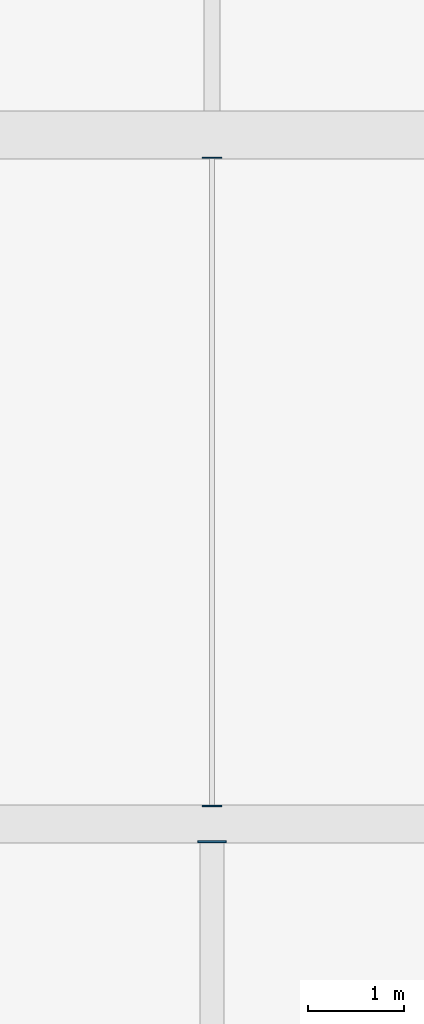
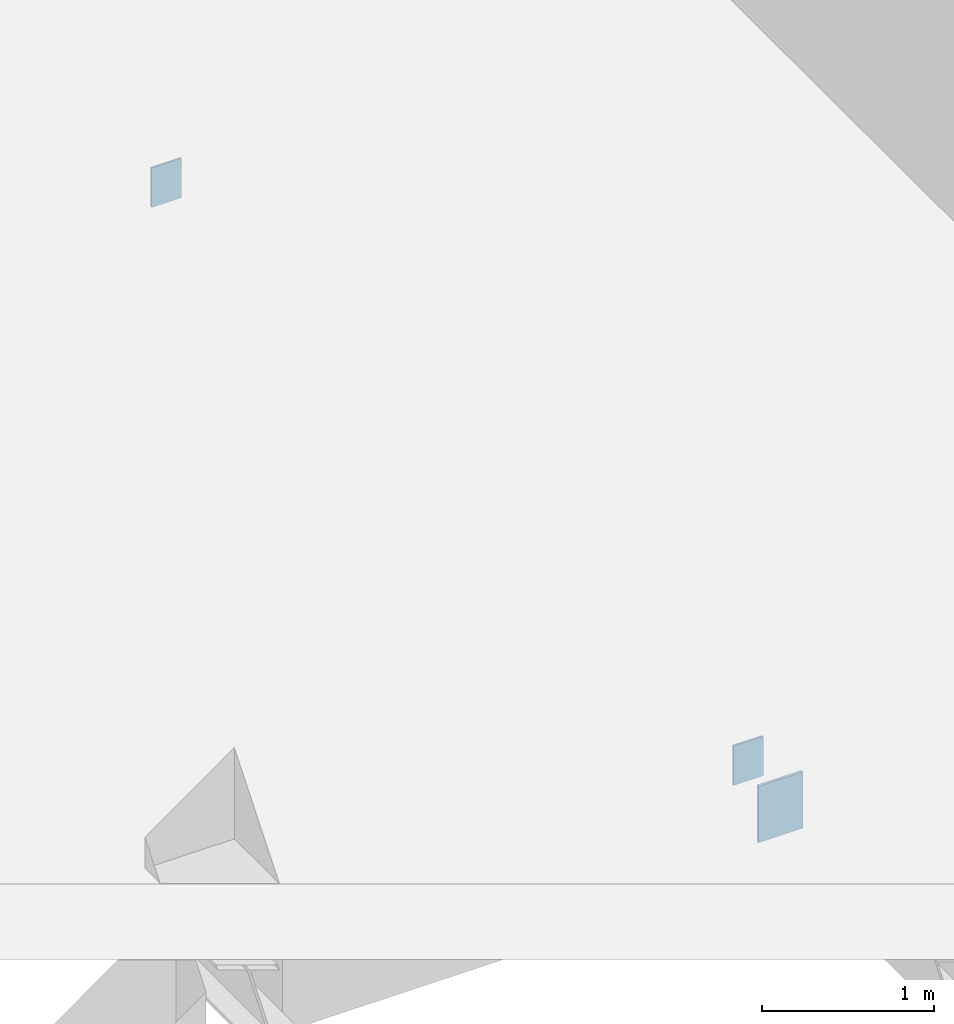
# One storey, part 65 of 90: 3 plates.
"""IFC4 building model written with IfcOpenShell, lengths in metres."""

from ifc_helpers import new_model, si_unit, direction, frame, origin, origin_2d, place, context, subcontext, project, spatial, rectangle, extrude, material, layer, layer_set, type_object, element, save


model = new_model("IFC4")

# Units and contexts
model_context = context("Model", 3, precision=1e-05, world=origin(), true_north=direction((0.0, 1.0)))
body_context = subcontext(model_context, "Body", "Model", "MODEL_VIEW")
ifc_project = project(units=[si_unit("LENGTHUNIT", "METRE"), si_unit("AREAUNIT", "SQUARE_METRE"), si_unit("VOLUMEUNIT", "CUBIC_METRE"), si_unit("PLANEANGLEUNIT", "RADIAN"), si_unit("MASSUNIT", "GRAM", prefix="KILO")], contexts=[model_context])

# Site, building, storey
site_placement = place(None, origin())
site = spatial("IfcSite", under=ifc_project, at=site_placement, CompositionType="ELEMENT")
building_placement = place(site_placement, origin())
building = spatial("IfcBuilding", under=site, at=building_placement, Name="Solanera Park Tramway Depot", CompositionType="ELEMENT")
storey_placement = place(building_placement, frame((0.0, 0.0, 9.0)))
storey = spatial("IfcBuildingStorey", under=building, at=storey_placement, Name="L02", CompositionType="ELEMENT", Elevation=9.0)

# Plates
ifc_material_1 = material(Name="Steel AS/NZS 3679.1 Grade 350", Category="steel")
ifc_layer_1 = layer(ifc_material_1, 0.013916015625)
ifc_layer_set_1 = layer_set([ifc_layer_1], Name="Steel AS/NZS 3679.1 Grade 350")
plate_type_1 = type_object("IfcPlateType", Name="Hollow End Cap and Base Plate 280x200x14", PredefinedType="USERDEFINED", material=ifc_layer_set_1)
for number, where, z_axis, x_axis, name in (
    (1, (183.60009765625, 18.18896484375, -0.5791015625), (0.0, 0.0, 1.0), (0.0, 1.0, 0.0), "Hollow Section Welded End Cap Plate #0056"),
    (2, (183.60009765625, 24.9609375, -0.5791015625), (0.0, 0.0, 1.0), (0.0, 1.0, 0.0), "Hollow Section Welded End Cap Plate #0057"),
):
    element("IfcPlate", number, at=place(storey_placement, frame(where, z_axis=z_axis, x_axis=x_axis)), inside=storey, type_object=plate_type_1, Name=name, ObjectType="BASE PLATE", PredefinedType="USERDEFINED", context=body_context, shape_type="SweptSolid", body=[
        extrude(rectangle(XDim=0.013916015625, YDim=0.199951171875, at=origin_2d()), origin(), (0.0, 0.0, 1.0), 0.280029296875),
    ])
ifc_material_2 = material(Name="Steel AS/NZS 3679.1 Grade 350", Category="steel")
ifc_layer_2 = layer(ifc_material_2, 0.02001953125)
ifc_layer_set_2 = layer_set([ifc_layer_2], Name="Steel AS/NZS 3679.1 Grade 350")
plate_type_2 = type_object("IfcPlateType", Name="Hollow End Cap and Base Plate 400x300x20", PredefinedType="USERDEFINED", material=ifc_layer_set_2)
plate_placement = place(storey_placement, frame((183.60009765625, 17.81396484375, -0.739013671875), z_axis=(0.0, 0.0, 1.0), x_axis=(0.0, 1.0, 0.0)))
element("IfcPlate", 3, at=plate_placement, inside=storey, type_object=plate_type_2, Name="Hollow Section Welded End Cap Plate #0047", ObjectType="BASE PLATE", PredefinedType="USERDEFINED", context=body_context, shape_type="SweptSolid", body=[
    extrude(rectangle(XDim=0.02001953125, YDim=0.300048828125, at=origin_2d()), origin(), (0.0, 0.0, 1.0), 0.39990234375),
])

save(model, "model.ifc")
